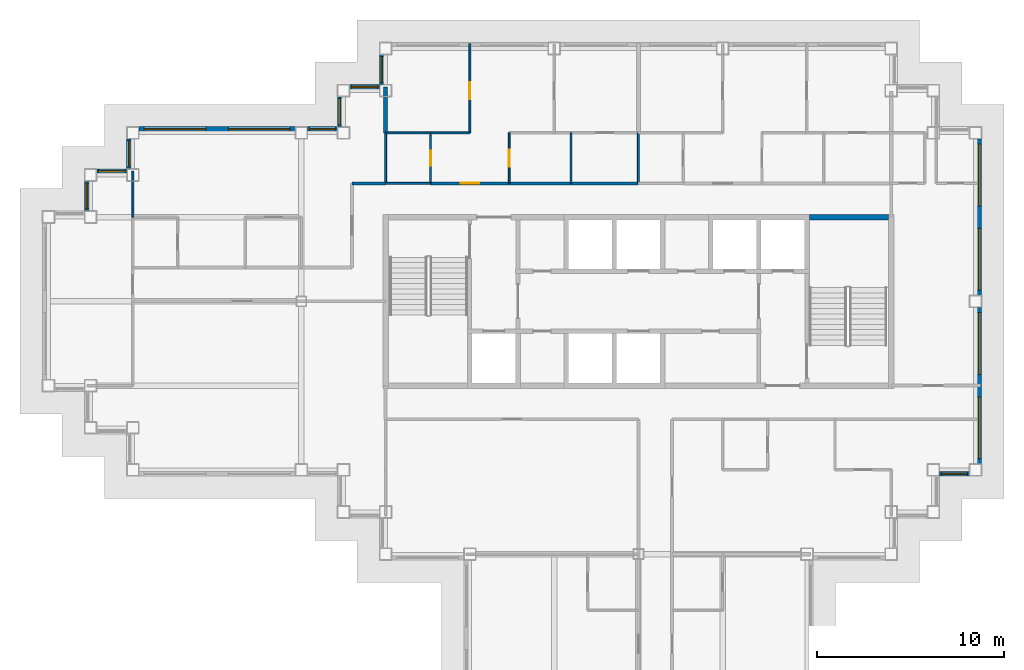
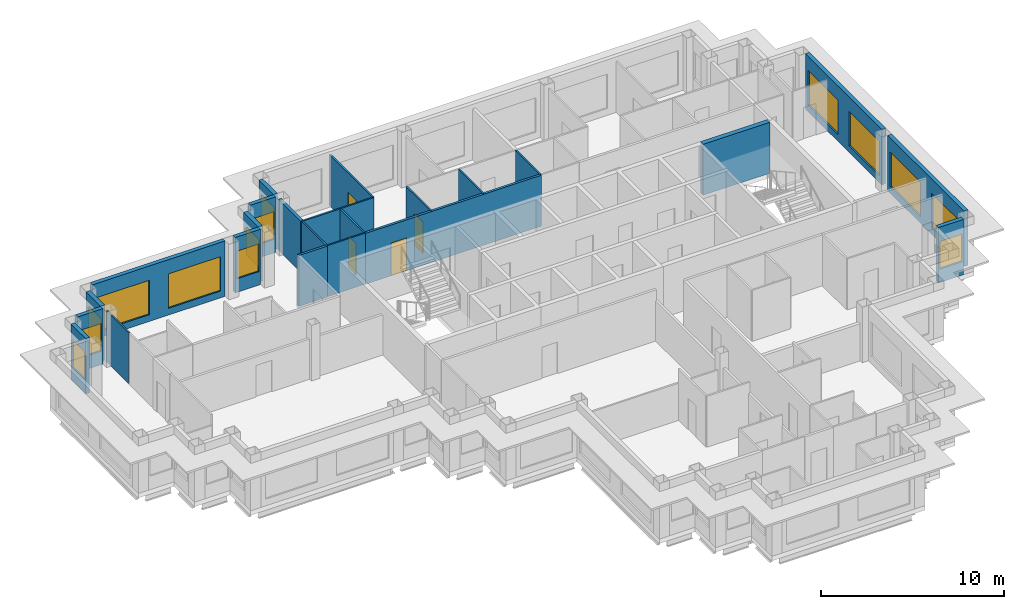
# One storey, part 6 of 12: 25 walls, 14 windows, 4 doors, 18 openings.
"""IFC4 building model written with IfcOpenShell, lengths in metres."""

from ifc_helpers import new_model, si_unit, direction, frame, frame_2d, origin, place, context, subcontext, project, spatial, rectangle, extrude, material, layer, layer_set, type_object, element, fill, save


model = new_model("IFC4")

# Units and contexts
model_context = context("Model", 3, precision=1e-05, world=origin(), true_north=direction((0.0, 1.0)))
body_context = subcontext(model_context, "Body", "Model", "MODEL_VIEW")
ifc_project = project(units=[si_unit("LENGTHUNIT", "METRE"), si_unit("AREAUNIT", "SQUARE_METRE"), si_unit("VOLUMEUNIT", "CUBIC_METRE"), si_unit("PLANEANGLEUNIT", "RADIAN"), si_unit("MASSUNIT", "GRAM", prefix="KILO")], contexts=[model_context])

# Site, building, storey
site_placement = place(None, origin())
site = spatial("IfcSite", under=ifc_project, at=site_placement, CompositionType="ELEMENT")
building_placement = place(site_placement, origin())
building = spatial("IfcBuilding", under=site, at=building_placement, Name="Caravel Reach Hotel and Residences", CompositionType="ELEMENT")
storey_placement = place(building_placement, frame((0.0, 0.0, 214.60009765625)))
storey = spatial("IfcBuildingStorey", under=building, at=storey_placement, Name="L54", CompositionType="ELEMENT", Elevation=214.60009765625)

# Walls
ifc_material_1 = material(Name="Gypsum board on steel stud", Category="steel")
ifc_layer_1 = layer(ifc_material_1, 0.10009765625)
ifc_layer_set_1 = layer_set([ifc_layer_1], Name="Bathroom pod wall 100 mm")
wall_type_1 = type_object("IfcWallType", Name="Bathroom pod wall 100 mm", PredefinedType="PARTITIONING", material=ifc_layer_set_1)
for number, where, z_axis, x_axis, name in (
    (1, (18.0, 33.300048828125, 0.0), (0.0, 0.0, 1.0), (1.0, 0.0, 0.0), "L54 wall w081"),
    (2, (18.0, 36.0, 0.0), (0.0, 0.0, 1.0), (1.0, 0.0, 0.0), "L54 wall w084"),
):
    element("IfcWall", number, at=place(storey_placement, frame(where, z_axis=z_axis, x_axis=x_axis)), inside=storey, type_object=wall_type_1, Name=name, PredefinedType="PARTITIONING", context=body_context, shape_type="SweptSolid", body=[
        extrude(rectangle(XDim=2.39990234375, YDim=0.10009765625, at=frame_2d((1.199951171875, 0.0))), origin(), (0.0, 0.0, 1.0), 3.39990234375),
    ])
wall_1_placement = place(storey_placement, frame((18.0, 33.301025390625, 0.0), z_axis=(0.0, 0.0, 1.0), x_axis=(0.0, 1.0, 0.0)))
element("IfcWall", 3, at=wall_1_placement, inside=storey, type_object=wall_type_1, Name="L54 wall w090", PredefinedType="PARTITIONING", context=body_context, shape_type="SweptSolid", body=[
    extrude(rectangle(XDim=2.698974609375, YDim=0.10009765625, at=frame_2d((1.349609375, 0.0))), origin(), (0.0, 0.0, 1.0), 3.39990234375),
])

# Wall, opening, door
wall_2_placement = place(storey_placement, frame((20.39990234375, 33.300048828125, 0.0), z_axis=(0.0, 0.0, 1.0), x_axis=(0.0, 1.0, 0.0)))
wall_2 = element("IfcWall", 4, at=wall_2_placement, inside=storey, type_object=wall_type_1, Name="L54 wall w091", PredefinedType="PARTITIONING", context=body_context, shape_type="SweptSolid", body=[
    extrude(rectangle(XDim=2.699951171875, YDim=0.10009765625, at=frame_2d((1.35009765625, 0.0))), origin(), (0.0, 0.0, 1.0), 3.39990234375),
])
opening_1_placement = place(wall_2_placement, frame((0.949951171875, 0.0, 0.0)))
opening_1 = element("IfcOpeningElement", 5, at=opening_1_placement, cuts=wall_2, Name="Opening D54-017", PredefinedType="OPENING", context=body_context, shape_type="SweptSolid", body=[
    extrude(rectangle(XDim=0.800048828125, YDim=2.10009765625, at=frame_2d((0.39990234375, 1.050048828125))), frame((0.0, 0.06005859375, 0.0), z_axis=(0.0, -1.0, 0.0), x_axis=(1.0, 0.0, 0.0)), (0.0, 0.0, 1.0), 0.1201171875),
])
ifc_material_2 = material(Name="Timber and steel door leaf", Category="steel")
door_type_1 = type_object("IfcDoorType", Name="Bathroom door 800 x 2100", OperationType="SINGLE_SWING_LEFT", PredefinedType="DOOR", material=ifc_material_2)
door_1_placement = place(opening_1_placement, origin())
door_1 = element("IfcDoor", 6, at=door_1_placement, inside=storey, type_object=door_type_1, Name="door D54-017", OperationType="SINGLE_SWING_RIGHT", OverallHeight=2.10009765625, OverallWidth=0.800048828125, PredefinedType="DOOR", context=body_context, shape_type="SweptSolid", body=[
    extrude(rectangle(XDim=0.800048828125, YDim=2.10009765625, at=frame_2d((0.39990234375, 1.050048828125))), frame((0.0, 0.02490234375, 0.0), z_axis=(0.0, -1.0, 0.0), x_axis=(1.0, 0.0, 0.0)), (0.0, 0.0, 1.0), 0.050048828125),
])
fill(opening_1, door_1)

# Walls
wall_3_placement = place(storey_placement, frame((31.5, 33.300048828125, 0.0), z_axis=(0.0, 0.0, 1.0), x_axis=(0.0, 1.0, 0.0)))
element("IfcWall", 7, at=wall_3_placement, inside=storey, type_object=wall_type_1, Name="L54 wall w095", PredefinedType="PARTITIONING", context=body_context, shape_type="SweptSolid", body=[
    extrude(rectangle(XDim=2.699951171875, YDim=0.10009765625, at=frame_2d((1.35009765625, 0.0))), origin(), (0.0, 0.0, 1.0), 3.39990234375),
])
ifc_material_3 = material(Name="Concrete C60", Category="concrete")
ifc_layer_2 = layer(ifc_material_3, 0.300048828125)
ifc_layer_set_2 = layer_set([ifc_layer_2], Name="Core wall 300 mm EI 120")
wall_type_2 = type_object("IfcWallType", Name="Core wall 300 mm EI 120", PredefinedType="SHEAR", material=ifc_layer_set_2)
wall_4_placement = place(storey_placement, frame((40.625, 31.5, 0.0), z_axis=(0.0, 0.0, 1.0), x_axis=(1.0, 0.0, 0.0)))
element("IfcWall", 8, at=wall_4_placement, inside=storey, type_object=wall_type_2, Name="L54 core wall N3", PredefinedType="SHEAR", context=body_context, shape_type="SweptSolid", body=[
    extrude(rectangle(XDim=4.22509765625, YDim=0.300048828125, at=frame_2d((2.112548828125, 0.0))), origin(), (0.0, 0.0, 1.0), 3.39990234375),
])

# Wall, opening, door
ifc_material_4 = material(Name="Gypsum board on steel stud, fire-rated", Category="steel")
ifc_layer_3 = layer(ifc_material_4, 0.14990234375)
ifc_layer_set_3 = layer_set([ifc_layer_3], Name="Corridor wall 150 mm EI 60")
wall_type_3 = type_object("IfcWallType", Name="Corridor wall 150 mm EI 60", PredefinedType="PARTITIONING", material=ifc_layer_set_3)
wall_5_placement = place(storey_placement, frame((20.39990234375, 33.300048828125, 0.0), z_axis=(0.0, 0.0, 1.0), x_axis=(1.0, 0.0, 0.0)))
wall_5 = element("IfcWall", 9, at=wall_5_placement, inside=storey, type_object=wall_type_3, Name="L54 wall w011", PredefinedType="PARTITIONING", context=body_context, shape_type="SweptSolid", body=[
    extrude(rectangle(XDim=11.10009765625, YDim=0.14990234375, at=frame_2d((5.550048828125, 0.0))), origin(), (0.0, 0.0, 1.0), 3.39990234375),
])
opening_2_placement = place(wall_5_placement, frame((1.60009765625, 0.0, 0.0)))
opening_2 = element("IfcOpeningElement", 10, at=opening_2_placement, cuts=wall_5, Name="Opening D54-016", PredefinedType="OPENING", context=body_context, shape_type="SweptSolid", body=[
    extrude(rectangle(XDim=1.0, YDim=2.199951171875, at=frame_2d((0.5, 1.10009765625))), frame((0.0, 0.0849609375, 0.0), z_axis=(0.0, -1.0, 0.0), x_axis=(1.0, 0.0, 0.0)), (0.0, 0.0, 1.0), 0.169921875),
])
ifc_material_5 = material(Name="Steel fire door leaf", Category="steel")
door_type_2 = type_object("IfcDoorType", Name="Flat entrance door 1000 x 2200 EI 60", OperationType="SINGLE_SWING_LEFT", PredefinedType="DOOR", material=ifc_material_5)
door_2_placement = place(opening_2_placement, origin())
door_2 = element("IfcDoor", 11, at=door_2_placement, inside=storey, type_object=door_type_2, Name="door D54-016", OperationType="SINGLE_SWING_LEFT", OverallHeight=2.199951171875, OverallWidth=1.0, PredefinedType="DOOR", context=body_context, shape_type="SweptSolid", body=[
    extrude(rectangle(XDim=1.0, YDim=2.199951171875, at=frame_2d((0.5, 1.10009765625))), frame((0.0, 0.02490234375, 0.0), z_axis=(0.0, -1.0, 0.0), x_axis=(1.0, 0.0, 0.0)), (0.0, 0.0, 1.0), 0.050048828125),
])
fill(opening_2, door_2)

# Wall
wall_6_placement = place(storey_placement, frame((16.199951171875, 33.300048828125, 0.0), z_axis=(0.0, 0.0, 1.0), x_axis=(1.0, 0.0, 0.0)))
element("IfcWall", 12, at=wall_6_placement, inside=storey, type_object=wall_type_3, Name="L54 wall w017", PredefinedType="PARTITIONING", context=body_context, shape_type="SweptSolid", body=[
    extrude(rectangle(XDim=1.799072265625, YDim=0.14990234375, at=frame_2d((0.8994140625, 0.0))), origin(), (0.0, 0.0, 1.0), 3.39990234375),
])

# Wall, opening, window
ifc_material_6 = material(Name="Insulated rainscreen wall, aluminium cladding", Category="aluminium")
ifc_layer_4 = layer(ifc_material_6, 0.25)
ifc_layer_set_4 = layer_set([ifc_layer_4], Name="EW1 Tower rainscreen wall")
wall_type_4 = type_object("IfcWallType", Name="EW1 Tower rainscreen wall", PredefinedType="SOLIDWALL", material=ifc_layer_set_4)
wall_7_placement = place(storey_placement, frame((47.574951171875, 17.800048828125, 0.0), z_axis=(0.0, 0.0, 1.0), x_axis=(1.0, 0.0, 0.0)))
wall_7 = element("IfcWall", 13, at=wall_7_placement, inside=storey, type_object=wall_type_4, Name="External wall L54 S5.1", PredefinedType="SOLIDWALL", context=body_context, shape_type="SweptSolid", body=[
    extrude(rectangle(XDim=1.60009765625, YDim=0.25, at=frame_2d((0.800048828125, 0.0))), origin(), (0.0, 0.0, 1.0), 3.699951171875),
])
opening_3_placement = place(wall_7_placement, frame((0.10009765625, 0.0, 0.89990234375)))
opening_3 = element("IfcOpeningElement", 14, at=opening_3_placement, cuts=wall_7, Name="Opening WN22", PredefinedType="OPENING", context=body_context, shape_type="SweptSolid", body=[
    extrude(rectangle(XDim=1.39990234375, YDim=1.85009765625, at=frame_2d((0.699951171875, 0.925048828125))), frame((0.0, 0.135009765625, 0.0), z_axis=(0.0, -1.0, 0.0), x_axis=(1.0, 0.0, 0.0)), (0.0, 0.0, 1.0), 0.27001953125),
])
ifc_material_7 = material(Name="Dark low-e glazing in black aluminium frame", Category="aluminium")
window_type_1 = type_object("IfcWindowType", Name="Residence bedroom window 1400 x 1850", PartitioningType="SINGLE_PANEL", PredefinedType="WINDOW", material=ifc_material_7)
window_1_placement = place(opening_3_placement, origin())
window_1 = element("IfcWindow", 15, at=window_1_placement, inside=storey, type_object=window_type_1, Name="Window L54 S5.1.1", OverallHeight=1.85009765625, OverallWidth=1.39990234375, PartitioningType="SINGLE_PANEL", PredefinedType="WINDOW", context=body_context, shape_type="SweptSolid", body=[
    extrude(rectangle(XDim=1.39990234375, YDim=1.85009765625, at=frame_2d((0.699951171875, 0.925048828125))), frame((0.0, 0.030029296875, 0.0), z_axis=(0.0, -1.0, 0.0), x_axis=(1.0, 0.0, 0.0)), (0.0, 0.0, 1.0), 0.06005859375),
])
fill(opening_3, window_1)

# Wall, openings, windows
wall_8_placement = place(storey_placement, frame((49.699951171875, 18.324951171875, 0.0), z_axis=(0.0, 0.0, 1.0), x_axis=(0.0, 1.0, 0.0)))
wall_8 = element("IfcWall", 16, at=wall_8_placement, inside=storey, type_object=wall_type_4, Name="External wall L54 E6.1", PredefinedType="SOLIDWALL", context=body_context, shape_type="SweptSolid", body=[
    extrude(rectangle(XDim=8.35009765625, YDim=0.25, at=frame_2d((4.175048828125, 0.0))), origin(), (0.0, 0.0, 1.0), 3.699951171875),
])
opening_4_placement = place(wall_8_placement, frame((0.27490234375, 0.0, 0.449951171875)))
opening_4 = element("IfcOpeningElement", 17, at=opening_4_placement, cuts=wall_8, Name="Opening WN15", PredefinedType="OPENING", context=body_context, shape_type="SweptSolid", body=[
    extrude(rectangle(XDim=3.300048828125, YDim=2.300048828125, at=frame_2d((1.64990234375, 1.14990234375))), frame((0.0, 0.135009765625, 0.0), z_axis=(0.0, -1.0, 0.0), x_axis=(1.0, 0.0, 0.0)), (0.0, 0.0, 1.0), 0.27001953125),
])
opening_5_placement = place(wall_8_placement, frame((4.77490234375, 0.0, 0.449951171875)))
opening_5 = element("IfcOpeningElement", 18, at=opening_5_placement, cuts=wall_8, Name="Opening WN15", PredefinedType="OPENING", context=body_context, shape_type="SweptSolid", body=[
    extrude(rectangle(XDim=3.300048828125, YDim=2.300048828125, at=frame_2d((1.64990234375, 1.14990234375))), frame((0.0, 0.135009765625, 0.0), z_axis=(0.0, -1.0, 0.0), x_axis=(1.0, 0.0, 0.0)), (0.0, 0.0, 1.0), 0.27001953125),
])
ifc_material_8 = material(Name="Dark low-e glazing in black aluminium frame", Category="aluminium")
window_type_2 = type_object("IfcWindowType", Name="Residence living window 3300 x 2300", PartitioningType="SINGLE_PANEL", PredefinedType="WINDOW", material=ifc_material_8)
window_2_placement = place(opening_4_placement, origin())
window_2 = element("IfcWindow", 19, at=window_2_placement, inside=storey, type_object=window_type_2, Name="Window L54 E6.1.1", OverallHeight=2.300048828125, OverallWidth=3.300048828125, PartitioningType="SINGLE_PANEL", PredefinedType="WINDOW", context=body_context, shape_type="SweptSolid", body=[
    extrude(rectangle(XDim=3.300048828125, YDim=2.300048828125, at=frame_2d((1.64990234375, 1.14990234375))), frame((0.0, 0.030029296875, 0.0), z_axis=(0.0, -1.0, 0.0), x_axis=(1.0, 0.0, 0.0)), (0.0, 0.0, 1.0), 0.06005859375),
])
fill(opening_4, window_2)
window_3_placement = place(opening_5_placement, origin())
window_3 = element("IfcWindow", 20, at=window_3_placement, inside=storey, type_object=window_type_2, Name="Window L54 E6.1.2", OverallHeight=2.300048828125, OverallWidth=3.300048828125, PartitioningType="SINGLE_PANEL", PredefinedType="WINDOW", context=body_context, shape_type="SweptSolid", body=[
    extrude(rectangle(XDim=3.300048828125, YDim=2.300048828125, at=frame_2d((1.64990234375, 1.14990234375))), frame((0.0, 0.030029296875, 0.0), z_axis=(0.0, -1.0, 0.0), x_axis=(1.0, 0.0, 0.0)), (0.0, 0.0, 1.0), 0.06005859375),
])
fill(opening_5, window_3)

wall_9_placement = place(storey_placement, frame((49.699951171875, 27.324951171875, 0.0), z_axis=(0.0, 0.0, 1.0), x_axis=(0.0, 1.0, 0.0)))
wall_9 = element("IfcWall", 21, at=wall_9_placement, inside=storey, type_object=wall_type_4, Name="External wall L54 E6.2", PredefinedType="SOLIDWALL", context=body_context, shape_type="SweptSolid", body=[
    extrude(rectangle(XDim=8.35009765625, YDim=0.25, at=frame_2d((4.175048828125, 0.0))), origin(), (0.0, 0.0, 1.0), 3.699951171875),
])
opening_6_placement = place(wall_9_placement, frame((0.27490234375, 0.0, 0.449951171875)))
opening_6 = element("IfcOpeningElement", 22, at=opening_6_placement, cuts=wall_9, Name="Opening WN15", PredefinedType="OPENING", context=body_context, shape_type="SweptSolid", body=[
    extrude(rectangle(XDim=3.300048828125, YDim=2.300048828125, at=frame_2d((1.64990234375, 1.14990234375))), frame((0.0, 0.135009765625, 0.0), z_axis=(0.0, -1.0, 0.0), x_axis=(1.0, 0.0, 0.0)), (0.0, 0.0, 1.0), 0.27001953125),
])
opening_7_placement = place(wall_9_placement, frame((4.77490234375, 0.0, 0.449951171875)))
opening_7 = element("IfcOpeningElement", 23, at=opening_7_placement, cuts=wall_9, Name="Opening WN15", PredefinedType="OPENING", context=body_context, shape_type="SweptSolid", body=[
    extrude(rectangle(XDim=3.300048828125, YDim=2.300048828125, at=frame_2d((1.64990234375, 1.14990234375))), frame((0.0, 0.135009765625, 0.0), z_axis=(0.0, -1.0, 0.0), x_axis=(1.0, 0.0, 0.0)), (0.0, 0.0, 1.0), 0.27001953125),
])
window_4_placement = place(opening_6_placement, origin())
window_4 = element("IfcWindow", 24, at=window_4_placement, inside=storey, type_object=window_type_2, Name="Window L54 E6.2.1", OverallHeight=2.300048828125, OverallWidth=3.300048828125, PartitioningType="SINGLE_PANEL", PredefinedType="WINDOW", context=body_context, shape_type="SweptSolid", body=[
    extrude(rectangle(XDim=3.300048828125, YDim=2.300048828125, at=frame_2d((1.64990234375, 1.14990234375))), frame((0.0, 0.030029296875, 0.0), z_axis=(0.0, -1.0, 0.0), x_axis=(1.0, 0.0, 0.0)), (0.0, 0.0, 1.0), 0.06005859375),
])
fill(opening_6, window_4)
window_5_placement = place(opening_7_placement, origin())
window_5 = element("IfcWindow", 25, at=window_5_placement, inside=storey, type_object=window_type_2, Name="Window L54 E6.2.2", OverallHeight=2.300048828125, OverallWidth=3.300048828125, PartitioningType="SINGLE_PANEL", PredefinedType="WINDOW", context=body_context, shape_type="SweptSolid", body=[
    extrude(rectangle(XDim=3.300048828125, YDim=2.300048828125, at=frame_2d((1.64990234375, 1.14990234375))), frame((0.0, 0.030029296875, 0.0), z_axis=(0.0, -1.0, 0.0), x_axis=(1.0, 0.0, 0.0)), (0.0, 0.0, 1.0), 0.06005859375),
])
fill(opening_7, window_5)

# Wall, opening, window
wall_10_placement = place(storey_placement, frame((17.800048828125, 40.175048828125, 0.0), z_axis=(0.0, 0.0, 1.0), x_axis=(0.0, -1.0, 0.0)))
wall_10 = element("IfcWall", 26, at=wall_10_placement, inside=storey, type_object=wall_type_4, Name="External wall L54 W12.1", PredefinedType="SOLIDWALL", context=body_context, shape_type="SweptSolid", body=[
    extrude(rectangle(XDim=1.60009765625, YDim=0.25, at=frame_2d((0.800048828125, 0.0))), origin(), (0.0, 0.0, 1.0), 3.699951171875),
])
opening_8_placement = place(wall_10_placement, frame((0.10009765625, 0.0, 0.89990234375)))
opening_8 = element("IfcOpeningElement", 27, at=opening_8_placement, cuts=wall_10, Name="Opening WN22", PredefinedType="OPENING", context=body_context, shape_type="SweptSolid", body=[
    extrude(rectangle(XDim=1.39990234375, YDim=1.85009765625, at=frame_2d((0.699951171875, 0.925048828125))), frame((0.0, 0.135009765625, 0.0), z_axis=(0.0, -1.0, 0.0), x_axis=(1.0, 0.0, 0.0)), (0.0, 0.0, 1.0), 0.27001953125),
])
window_6_placement = place(opening_8_placement, origin())
window_6 = element("IfcWindow", 28, at=window_6_placement, inside=storey, type_object=window_type_1, Name="Window L54 W12.1.1", OverallHeight=1.85009765625, OverallWidth=1.39990234375, PartitioningType="SINGLE_PANEL", PredefinedType="WINDOW", context=body_context, shape_type="SweptSolid", body=[
    extrude(rectangle(XDim=1.39990234375, YDim=1.85009765625, at=frame_2d((0.699951171875, 0.925048828125))), frame((0.0, 0.030029296875, 0.0), z_axis=(0.0, -1.0, 0.0), x_axis=(1.0, 0.0, 0.0)), (0.0, 0.0, 1.0), 0.06005859375),
])
fill(opening_8, window_6)

wall_11_placement = place(storey_placement, frame((17.675048828125, 38.449951171875, 0.0), z_axis=(0.0, 0.0, 1.0), x_axis=(-1.0, 0.0, 0.0)))
wall_11 = element("IfcWall", 29, at=wall_11_placement, inside=storey, type_object=wall_type_4, Name="External wall L54 N13.1", PredefinedType="SOLIDWALL", context=body_context, shape_type="SweptSolid", body=[
    extrude(rectangle(XDim=1.60009765625, YDim=0.25, at=frame_2d((0.800048828125, 0.0))), origin(), (0.0, 0.0, 1.0), 3.699951171875),
])
opening_9_placement = place(wall_11_placement, frame((0.10009765625, 0.0, 0.89990234375)))
opening_9 = element("IfcOpeningElement", 30, at=opening_9_placement, cuts=wall_11, Name="Opening WN22", PredefinedType="OPENING", context=body_context, shape_type="SweptSolid", body=[
    extrude(rectangle(XDim=1.39990234375, YDim=1.85009765625, at=frame_2d((0.699951171875, 0.925048828125))), frame((0.0, 0.135009765625, 0.0), z_axis=(0.0, -1.0, 0.0), x_axis=(1.0, 0.0, 0.0)), (0.0, 0.0, 1.0), 0.27001953125),
])
window_7_placement = place(opening_9_placement, origin())
window_7 = element("IfcWindow", 31, at=window_7_placement, inside=storey, type_object=window_type_1, Name="Window L54 N13.1.1", OverallHeight=1.85009765625, OverallWidth=1.39990234375, PartitioningType="SINGLE_PANEL", PredefinedType="WINDOW", context=body_context, shape_type="SweptSolid", body=[
    extrude(rectangle(XDim=1.39990234375, YDim=1.85009765625, at=frame_2d((0.699951171875, 0.925048828125))), frame((0.0, 0.030029296875, 0.0), z_axis=(0.0, -1.0, 0.0), x_axis=(1.0, 0.0, 0.0)), (0.0, 0.0, 1.0), 0.06005859375),
])
fill(opening_9, window_7)

wall_12_placement = place(storey_placement, frame((15.550048828125, 37.925048828125, 0.0), z_axis=(0.0, 0.0, 1.0), x_axis=(0.0, -1.0, 0.0)))
wall_12 = element("IfcWall", 32, at=wall_12_placement, inside=storey, type_object=wall_type_4, Name="External wall L54 W14.1", PredefinedType="SOLIDWALL", context=body_context, shape_type="SweptSolid", body=[
    extrude(rectangle(XDim=1.60009765625, YDim=0.25, at=frame_2d((0.800048828125, 0.0))), origin(), (0.0, 0.0, 1.0), 3.699951171875),
])
opening_10_placement = place(wall_12_placement, frame((0.10009765625, 0.0, 0.89990234375)))
opening_10 = element("IfcOpeningElement", 33, at=opening_10_placement, cuts=wall_12, Name="Opening WN22", PredefinedType="OPENING", context=body_context, shape_type="SweptSolid", body=[
    extrude(rectangle(XDim=1.39990234375, YDim=1.85009765625, at=frame_2d((0.699951171875, 0.925048828125))), frame((0.0, 0.135009765625, 0.0), z_axis=(0.0, -1.0, 0.0), x_axis=(1.0, 0.0, 0.0)), (0.0, 0.0, 1.0), 0.27001953125),
])
window_8_placement = place(opening_10_placement, origin())
window_8 = element("IfcWindow", 34, at=window_8_placement, inside=storey, type_object=window_type_1, Name="Window L54 W14.1.1", OverallHeight=1.85009765625, OverallWidth=1.39990234375, PartitioningType="SINGLE_PANEL", PredefinedType="WINDOW", context=body_context, shape_type="SweptSolid", body=[
    extrude(rectangle(XDim=1.39990234375, YDim=1.85009765625, at=frame_2d((0.699951171875, 0.925048828125))), frame((0.0, 0.030029296875, 0.0), z_axis=(0.0, -1.0, 0.0), x_axis=(1.0, 0.0, 0.0)), (0.0, 0.0, 1.0), 0.06005859375),
])
fill(opening_10, window_8)

wall_13_placement = place(storey_placement, frame((15.425048828125, 36.199951171875, 0.0), z_axis=(0.0, 0.0, 1.0), x_axis=(-1.0, 0.0, 0.0)))
wall_13 = element("IfcWall", 35, at=wall_13_placement, inside=storey, type_object=wall_type_4, Name="External wall L54 N15.1", PredefinedType="SOLIDWALL", context=body_context, shape_type="SweptSolid", body=[
    extrude(rectangle(XDim=1.60009765625, YDim=0.25, at=frame_2d((0.800048828125, 0.0))), origin(), (0.0, 0.0, 1.0), 3.699951171875),
])
opening_11_placement = place(wall_13_placement, frame((0.10009765625, 0.0, 0.89990234375)))
opening_11 = element("IfcOpeningElement", 36, at=opening_11_placement, cuts=wall_13, Name="Opening WN22", PredefinedType="OPENING", context=body_context, shape_type="SweptSolid", body=[
    extrude(rectangle(XDim=1.39990234375, YDim=1.85009765625, at=frame_2d((0.699951171875, 0.925048828125))), frame((0.0, 0.135009765625, 0.0), z_axis=(0.0, -1.0, 0.0), x_axis=(1.0, 0.0, 0.0)), (0.0, 0.0, 1.0), 0.27001953125),
])
window_9_placement = place(opening_11_placement, origin())
window_9 = element("IfcWindow", 37, at=window_9_placement, inside=storey, type_object=window_type_1, Name="Window L54 N15.1.1", OverallHeight=1.85009765625, OverallWidth=1.39990234375, PartitioningType="SINGLE_PANEL", PredefinedType="WINDOW", context=body_context, shape_type="SweptSolid", body=[
    extrude(rectangle(XDim=1.39990234375, YDim=1.85009765625, at=frame_2d((0.699951171875, 0.925048828125))), frame((0.0, 0.030029296875, 0.0), z_axis=(0.0, -1.0, 0.0), x_axis=(1.0, 0.0, 0.0)), (0.0, 0.0, 1.0), 0.06005859375),
])
fill(opening_11, window_9)

# Wall, openings, windows
wall_14_placement = place(storey_placement, frame((13.175048828125, 36.199951171875, 0.0), z_axis=(0.0, 0.0, 1.0), x_axis=(-1.0, 0.0, 0.0)))
wall_14 = element("IfcWall", 38, at=wall_14_placement, inside=storey, type_object=wall_type_4, Name="External wall L54 N15.2", PredefinedType="SOLIDWALL", context=body_context, shape_type="SweptSolid", body=[
    extrude(rectangle(XDim=8.35009765625, YDim=0.25, at=frame_2d((4.175048828125, 0.0))), origin(), (0.0, 0.0, 1.0), 3.699951171875),
])
opening_12_placement = place(wall_14_placement, frame((0.27490234375, 0.0, 0.449951171875)))
opening_12 = element("IfcOpeningElement", 39, at=opening_12_placement, cuts=wall_14, Name="Opening WN15", PredefinedType="OPENING", context=body_context, shape_type="SweptSolid", body=[
    extrude(rectangle(XDim=3.300048828125, YDim=2.300048828125, at=frame_2d((1.64990234375, 1.14990234375))), frame((0.0, 0.135009765625, 0.0), z_axis=(0.0, -1.0, 0.0), x_axis=(1.0, 0.0, 0.0)), (0.0, 0.0, 1.0), 0.27001953125),
])
opening_13_placement = place(wall_14_placement, frame((4.77490234375, 0.0, 0.449951171875)))
opening_13 = element("IfcOpeningElement", 40, at=opening_13_placement, cuts=wall_14, Name="Opening WN15", PredefinedType="OPENING", context=body_context, shape_type="SweptSolid", body=[
    extrude(rectangle(XDim=3.300048828125, YDim=2.300048828125, at=frame_2d((1.64990234375, 1.14990234375))), frame((0.0, 0.135009765625, 0.0), z_axis=(0.0, -1.0, 0.0), x_axis=(1.0, 0.0, 0.0)), (0.0, 0.0, 1.0), 0.27001953125),
])
window_10_placement = place(opening_12_placement, origin())
window_10 = element("IfcWindow", 41, at=window_10_placement, inside=storey, type_object=window_type_2, Name="Window L54 N15.2.1", OverallHeight=2.300048828125, OverallWidth=3.300048828125, PartitioningType="SINGLE_PANEL", PredefinedType="WINDOW", context=body_context, shape_type="SweptSolid", body=[
    extrude(rectangle(XDim=3.300048828125, YDim=2.300048828125, at=frame_2d((1.64990234375, 1.14990234375))), frame((0.0, 0.030029296875, 0.0), z_axis=(0.0, -1.0, 0.0), x_axis=(1.0, 0.0, 0.0)), (0.0, 0.0, 1.0), 0.06005859375),
])
fill(opening_12, window_10)
window_11_placement = place(opening_13_placement, origin())
window_11 = element("IfcWindow", 42, at=window_11_placement, inside=storey, type_object=window_type_2, Name="Window L54 N15.2.2", OverallHeight=2.300048828125, OverallWidth=3.300048828125, PartitioningType="SINGLE_PANEL", PredefinedType="WINDOW", context=body_context, shape_type="SweptSolid", body=[
    extrude(rectangle(XDim=3.300048828125, YDim=2.300048828125, at=frame_2d((1.64990234375, 1.14990234375))), frame((0.0, 0.030029296875, 0.0), z_axis=(0.0, -1.0, 0.0), x_axis=(1.0, 0.0, 0.0)), (0.0, 0.0, 1.0), 0.06005859375),
])
fill(opening_13, window_11)

# Wall, opening, window
wall_15_placement = place(storey_placement, frame((4.300048828125, 35.675048828125, 0.0), z_axis=(0.0, 0.0, 1.0), x_axis=(0.0, -1.0, 0.0)))
wall_15 = element("IfcWall", 43, at=wall_15_placement, inside=storey, type_object=wall_type_4, Name="External wall L54 W16.1", PredefinedType="SOLIDWALL", context=body_context, shape_type="SweptSolid", body=[
    extrude(rectangle(XDim=1.60009765625, YDim=0.25, at=frame_2d((0.800048828125, 0.0))), origin(), (0.0, 0.0, 1.0), 3.699951171875),
])
opening_14_placement = place(wall_15_placement, frame((0.10009765625, 0.0, 0.89990234375)))
opening_14 = element("IfcOpeningElement", 44, at=opening_14_placement, cuts=wall_15, Name="Opening WN22", PredefinedType="OPENING", context=body_context, shape_type="SweptSolid", body=[
    extrude(rectangle(XDim=1.39990234375, YDim=1.85009765625, at=frame_2d((0.699951171875, 0.925048828125))), frame((0.0, 0.135009765625, 0.0), z_axis=(0.0, -1.0, 0.0), x_axis=(1.0, 0.0, 0.0)), (0.0, 0.0, 1.0), 0.27001953125),
])
window_12_placement = place(opening_14_placement, origin())
window_12 = element("IfcWindow", 45, at=window_12_placement, inside=storey, type_object=window_type_1, Name="Window L54 W16.1.1", OverallHeight=1.85009765625, OverallWidth=1.39990234375, PartitioningType="SINGLE_PANEL", PredefinedType="WINDOW", context=body_context, shape_type="SweptSolid", body=[
    extrude(rectangle(XDim=1.39990234375, YDim=1.85009765625, at=frame_2d((0.699951171875, 0.925048828125))), frame((0.0, 0.030029296875, 0.0), z_axis=(0.0, -1.0, 0.0), x_axis=(1.0, 0.0, 0.0)), (0.0, 0.0, 1.0), 0.06005859375),
])
fill(opening_14, window_12)

wall_16_placement = place(storey_placement, frame((4.175048828125, 33.949951171875, 0.0), z_axis=(0.0, 0.0, 1.0), x_axis=(-1.0, 0.0, 0.0)))
wall_16 = element("IfcWall", 46, at=wall_16_placement, inside=storey, type_object=wall_type_4, Name="External wall L54 N17.1", PredefinedType="SOLIDWALL", context=body_context, shape_type="SweptSolid", body=[
    extrude(rectangle(XDim=1.60009765625, YDim=0.25, at=frame_2d((0.800048828125, 0.0))), origin(), (0.0, 0.0, 1.0), 3.699951171875),
])
opening_15_placement = place(wall_16_placement, frame((0.10009765625, 0.0, 0.89990234375)))
opening_15 = element("IfcOpeningElement", 47, at=opening_15_placement, cuts=wall_16, Name="Opening WN22", PredefinedType="OPENING", context=body_context, shape_type="SweptSolid", body=[
    extrude(rectangle(XDim=1.39990234375, YDim=1.85009765625, at=frame_2d((0.699951171875, 0.925048828125))), frame((0.0, 0.135009765625, 0.0), z_axis=(0.0, -1.0, 0.0), x_axis=(1.0, 0.0, 0.0)), (0.0, 0.0, 1.0), 0.27001953125),
])
window_13_placement = place(opening_15_placement, origin())
window_13 = element("IfcWindow", 48, at=window_13_placement, inside=storey, type_object=window_type_1, Name="Window L54 N17.1.1", OverallHeight=1.85009765625, OverallWidth=1.39990234375, PartitioningType="SINGLE_PANEL", PredefinedType="WINDOW", context=body_context, shape_type="SweptSolid", body=[
    extrude(rectangle(XDim=1.39990234375, YDim=1.85009765625, at=frame_2d((0.699951171875, 0.925048828125))), frame((0.0, 0.030029296875, 0.0), z_axis=(0.0, -1.0, 0.0), x_axis=(1.0, 0.0, 0.0)), (0.0, 0.0, 1.0), 0.06005859375),
])
fill(opening_15, window_13)

wall_17_placement = place(storey_placement, frame((2.050048828125, 33.425048828125, 0.0), z_axis=(0.0, 0.0, 1.0), x_axis=(0.0, -1.0, 0.0)))
wall_17 = element("IfcWall", 49, at=wall_17_placement, inside=storey, type_object=wall_type_4, Name="External wall L54 W18.1", PredefinedType="SOLIDWALL", context=body_context, shape_type="SweptSolid", body=[
    extrude(rectangle(XDim=1.60009765625, YDim=0.25, at=frame_2d((0.800048828125, 0.0))), origin(), (0.0, 0.0, 1.0), 3.699951171875),
])
opening_16_placement = place(wall_17_placement, frame((0.10009765625, 0.0, 0.89990234375)))
opening_16 = element("IfcOpeningElement", 50, at=opening_16_placement, cuts=wall_17, Name="Opening WN22", PredefinedType="OPENING", context=body_context, shape_type="SweptSolid", body=[
    extrude(rectangle(XDim=1.39990234375, YDim=1.85009765625, at=frame_2d((0.699951171875, 0.925048828125))), frame((0.0, 0.135009765625, 0.0), z_axis=(0.0, -1.0, 0.0), x_axis=(1.0, 0.0, 0.0)), (0.0, 0.0, 1.0), 0.27001953125),
])
window_14_placement = place(opening_16_placement, origin())
window_14 = element("IfcWindow", 51, at=window_14_placement, inside=storey, type_object=window_type_1, Name="Window L54 W18.1.1", OverallHeight=1.85009765625, OverallWidth=1.39990234375, PartitioningType="SINGLE_PANEL", PredefinedType="WINDOW", context=body_context, shape_type="SweptSolid", body=[
    extrude(rectangle(XDim=1.39990234375, YDim=1.85009765625, at=frame_2d((0.699951171875, 0.925048828125))), frame((0.0, 0.030029296875, 0.0), z_axis=(0.0, -1.0, 0.0), x_axis=(1.0, 0.0, 0.0)), (0.0, 0.0, 1.0), 0.06005859375),
])
fill(opening_16, window_14)

# Wall
ifc_material_9 = material(Name="Gypsum board on steel stud", Category="steel")
ifc_layer_5 = layer(ifc_material_9, 0.10009765625)
ifc_layer_set_5 = layer_set([ifc_layer_5], Name="Partition 100 mm")
wall_type_5 = type_object("IfcWallType", Name="Partition 100 mm", PredefinedType="PARTITIONING", material=ifc_layer_set_5)
wall_18_placement = place(storey_placement, frame((20.39990234375, 36.0, 0.0), z_axis=(0.0, 0.0, 1.0), x_axis=(1.0, 0.0, 0.0)))
element("IfcWall", 52, at=wall_18_placement, inside=storey, type_object=wall_type_5, Name="L54 wall w038", PredefinedType="PARTITIONING", context=body_context, shape_type="SweptSolid", body=[
    extrude(rectangle(XDim=2.10009765625, YDim=0.10009765625, at=frame_2d((1.050048828125, 0.0))), origin(), (0.0, 0.0, 1.0), 3.39990234375),
])

# Wall, opening, door
wall_19_placement = place(storey_placement, frame((22.5, 36.0, 0.0), z_axis=(0.0, 0.0, 1.0), x_axis=(0.0, 1.0, 0.0)))
wall_19 = element("IfcWall", 53, at=wall_19_placement, inside=storey, type_object=wall_type_5, Name="L54 wall w051", PredefinedType="PARTITIONING", context=body_context, shape_type="SweptSolid", body=[
    extrude(rectangle(XDim=4.764892578125, YDim=0.10009765625, at=frame_2d((2.38232421875, 0.0))), origin(), (0.0, 0.0, 1.0), 3.39990234375),
])
opening_17_placement = place(wall_19_placement, frame((1.800048828125, 0.0, 0.0)))
opening_17 = element("IfcOpeningElement", 54, at=opening_17_placement, cuts=wall_19, Name="Opening D54-020", PredefinedType="OPENING", context=body_context, shape_type="SweptSolid", body=[
    extrude(rectangle(XDim=0.89990234375, YDim=2.10009765625, at=frame_2d((0.449951171875, 1.050048828125))), frame((0.0, 0.06005859375, 0.0), z_axis=(0.0, -1.0, 0.0), x_axis=(1.0, 0.0, 0.0)), (0.0, 0.0, 1.0), 0.1201171875),
])
ifc_material_10 = material(Name="Timber and steel door leaf", Category="steel")
door_type_3 = type_object("IfcDoorType", Name="Door 900 x 2100 timber", OperationType="SINGLE_SWING_LEFT", PredefinedType="DOOR", material=ifc_material_10)
door_3_placement = place(opening_17_placement, origin())
door_3 = element("IfcDoor", 55, at=door_3_placement, inside=storey, type_object=door_type_3, Name="door D54-020", OperationType="SINGLE_SWING_LEFT", OverallHeight=2.10009765625, OverallWidth=0.89990234375, PredefinedType="DOOR", context=body_context, shape_type="SweptSolid", body=[
    extrude(rectangle(XDim=0.89990234375, YDim=2.10009765625, at=frame_2d((0.449951171875, 1.050048828125))), frame((0.0, 0.02490234375, 0.0), z_axis=(0.0, -1.0, 0.0), x_axis=(1.0, 0.0, 0.0)), (0.0, 0.0, 1.0), 0.050048828125),
])
fill(opening_17, door_3)

wall_20_placement = place(storey_placement, frame((24.60009765625, 33.300048828125, 0.0), z_axis=(0.0, 0.0, 1.0), x_axis=(0.0, 1.0, 0.0)))
wall_20 = element("IfcWall", 56, at=wall_20_placement, inside=storey, type_object=wall_type_5, Name="L54 wall w052", PredefinedType="PARTITIONING", context=body_context, shape_type="SweptSolid", body=[
    extrude(rectangle(XDim=2.699951171875, YDim=0.10009765625, at=frame_2d((1.35009765625, 0.0))), origin(), (0.0, 0.0, 1.0), 3.39990234375),
])
opening_18_placement = place(wall_20_placement, frame((0.89990234375, 0.0, 0.0)))
opening_18 = element("IfcOpeningElement", 57, at=opening_18_placement, cuts=wall_20, Name="Opening D54-018", PredefinedType="OPENING", context=body_context, shape_type="SweptSolid", body=[
    extrude(rectangle(XDim=0.89990234375, YDim=2.10009765625, at=frame_2d((0.449951171875, 1.050048828125))), frame((0.0, 0.06005859375, 0.0), z_axis=(0.0, -1.0, 0.0), x_axis=(1.0, 0.0, 0.0)), (0.0, 0.0, 1.0), 0.1201171875),
])
door_4_placement = place(opening_18_placement, origin())
door_4 = element("IfcDoor", 58, at=door_4_placement, inside=storey, type_object=door_type_3, Name="door D54-018", OperationType="SINGLE_SWING_RIGHT", OverallHeight=2.10009765625, OverallWidth=0.89990234375, PredefinedType="DOOR", context=body_context, shape_type="SweptSolid", body=[
    extrude(rectangle(XDim=0.89990234375, YDim=2.10009765625, at=frame_2d((0.449951171875, 1.050048828125))), frame((0.0, 0.02490234375, 0.0), z_axis=(0.0, -1.0, 0.0), x_axis=(1.0, 0.0, 0.0)), (0.0, 0.0, 1.0), 0.050048828125),
])
fill(opening_18, door_4)

# Walls
wall_21_placement = place(storey_placement, frame((27.89990234375, 33.300048828125, 0.0), z_axis=(0.0, 0.0, 1.0), x_axis=(0.0, 1.0, 0.0)))
element("IfcWall", 59, at=wall_21_placement, inside=storey, type_object=wall_type_5, Name="L54 wall w054", PredefinedType="PARTITIONING", context=body_context, shape_type="SweptSolid", body=[
    extrude(rectangle(XDim=2.699951171875, YDim=0.10009765625, at=frame_2d((1.35009765625, 0.0))), origin(), (0.0, 0.0, 1.0), 3.39990234375),
])
wall_22_placement = place(storey_placement, frame((4.5, 31.5009765625, 0.0), z_axis=(0.0, 0.0, 1.0), x_axis=(0.0, 1.0, 0.0)))
element("IfcWall", 60, at=wall_22_placement, inside=storey, type_object=wall_type_5, Name="L54 wall w061", PredefinedType="PARTITIONING", context=body_context, shape_type="SweptSolid", body=[
    extrude(rectangle(XDim=2.43896484375, YDim=0.10009765625, at=frame_2d((1.219482421875, 0.0))), origin(), (0.0, 0.0, 1.0), 3.39990234375),
])
ifc_material_11 = material(Name="Autoclaved aerated block wall")
ifc_layer_6 = layer(ifc_material_11, 0.199951171875)
ifc_layer_set_6 = layer_set([ifc_layer_6], Name="Party wall 200 mm EI 60")
wall_type_6 = type_object("IfcWallType", Name="Party wall 200 mm EI 60", PredefinedType="PARTITIONING", material=ifc_layer_set_6)
wall_23_placement = place(storey_placement, frame((18.0, 36.0, 0.0), z_axis=(0.0, 0.0, 1.0), x_axis=(0.0, 1.0, 0.0)))
element("IfcWall", 61, at=wall_23_placement, inside=storey, type_object=wall_type_6, Name="L54 wall w072", PredefinedType="PARTITIONING", context=body_context, shape_type="SweptSolid", body=[
    extrude(rectangle(XDim=2.43994140625, YDim=0.199951171875, at=frame_2d((1.219970703125, 0.0))), origin(), (0.0, 0.0, 1.0), 3.39990234375),
])

save(model, "model.ifc")
